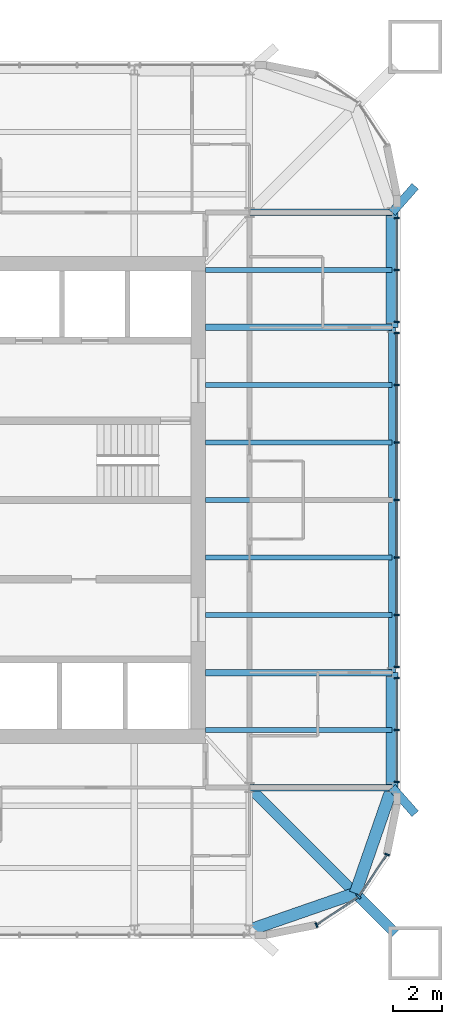
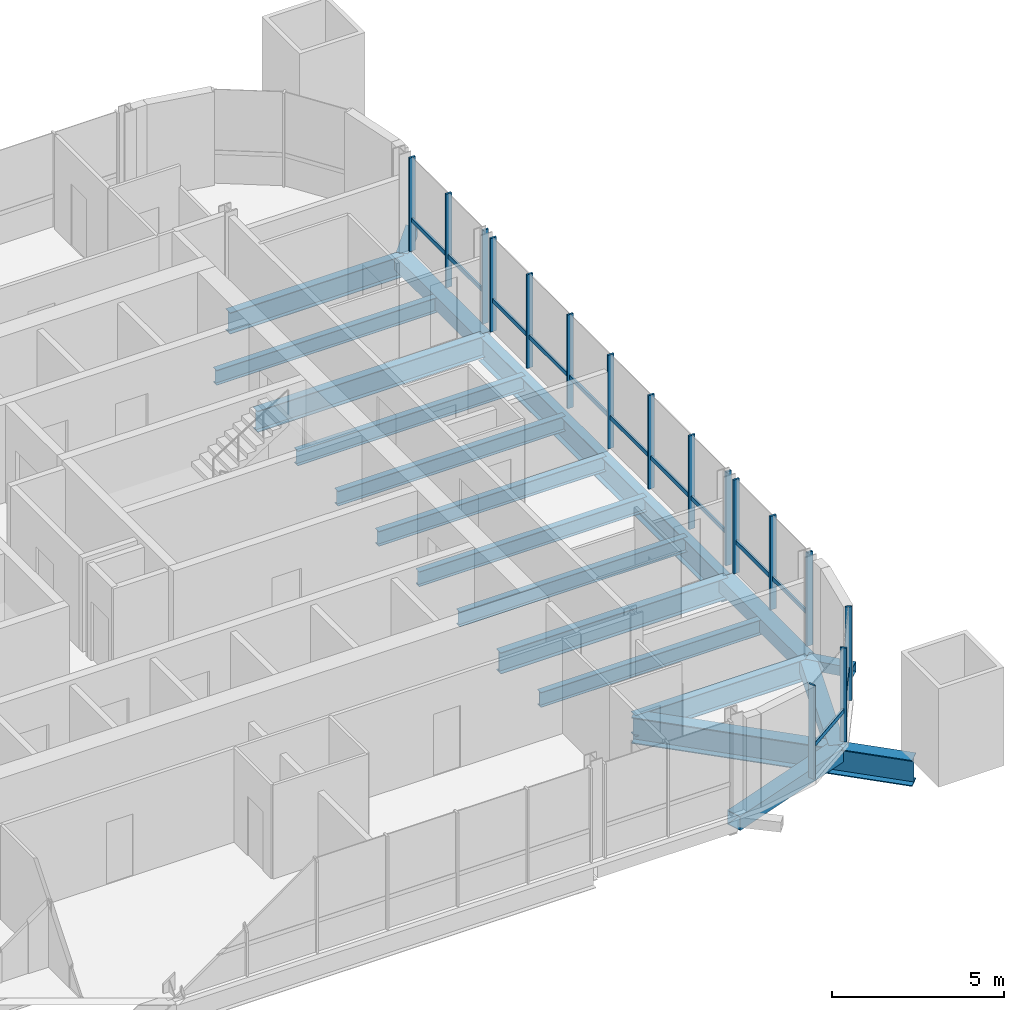
# One storey, part 4 of 12: 28 members, 19 beams, 4 elements without a shape of their own.
"""IFC4 building model written with IfcOpenShell, lengths in metres."""

import ifcopenshell
import ifcopenshell.guid

model = None  # the IFC model being written
_history = None  # IfcOwnerHistory: only IFC2X3 demands one
_inside = {}  # id of a spatial element -> (the spatial element, [elements in it])
_under = {}  # id of a project, library or spatial element -> (it, [spatial elements below it])
_declared = {}  # id of a project -> (the project, [libraries it declares])
_typed = {}  # id of a type object -> (the type object, [elements of that type])
_made_of = {}  # id of a material, layer set ... -> (it, [elements and type objects made of it])


def new_model(schema):
    """Start an empty IFC model of exactly this schema.

    Asked for "IFC4X3", IfcOpenShell would pick the latest addendum, in which some entities
    have other attributes; the version numbers below select the first issue.
    IFC2X3 requires an IfcOwnerHistory on every rooted entity: one is made here for all.
    """
    global model, _history
    if schema == "IFC4X3":
        model = ifcopenshell.file(schema_version=(4, 3, 0, 0))
    else:
        model = ifcopenshell.file(schema=schema)
    _inside.clear()
    _under.clear()
    _declared.clear()
    _typed.clear()
    _made_of.clear()
    _history = None
    if model.schema == "IFC2X3":
        org = make("IfcOrganization", Name="unknown")
        user = make(
            "IfcPersonAndOrganization",
            ThePerson=make("IfcPerson", FamilyName="unknown"),
            TheOrganization=org,
        )
        app = make(
            "IfcApplication",
            ApplicationDeveloper=org,
            Version="unknown",
            ApplicationFullName="unknown",
            ApplicationIdentifier="unknown",
        )
        _history = make(
            "IfcOwnerHistory",
            OwningUser=user,
            OwningApplication=app,
            ChangeAction="ADDED",
            CreationDate=0,
        )
    return model


def make(cls, **values):
    """One entity of the class cls with the attributes given. An attribute that is None is left unset."""
    return model.create_entity(
        cls, **{name: value for name, value in values.items() if value is not None}
    )


def rooted(cls, **values):
    """An entity with a GlobalId (a new one), such as an element, a storey or a relation."""
    return make(cls, GlobalId=ifcopenshell.guid.new(), OwnerHistory=_history, **values)


def si_unit(unit_type, name, prefix=None):
    """IfcSIUnit, for example si_unit("LENGTHUNIT", "METRE", prefix="MILLI")."""
    return make("IfcSIUnit", UnitType=unit_type, Prefix=prefix, Name=name)


def assignment(units):
    """IfcUnitAssignment: the units of a project."""
    return None if units is None else make("IfcUnitAssignment", Units=units)


def point(xyz):
    """IfcCartesianPoint."""
    return None if xyz is None else make("IfcCartesianPoint", Coordinates=xyz)


def direction(xyz):
    """IfcDirection."""
    return None if xyz is None else make("IfcDirection", DirectionRatios=xyz)


def frame(location, z_axis=None, x_axis=None):
    """IfcAxis2Placement3D, a coordinate frame: its origin and axes. An axis left out is left unset."""
    return make(
        "IfcAxis2Placement3D",
        Location=point(location),
        Axis=direction(z_axis),
        RefDirection=direction(x_axis),
    )


def frame_2d(location, x_axis=None):
    """IfcAxis2Placement2D, a coordinate frame in the plane: its origin and x axis."""
    return make(
        "IfcAxis2Placement2D", Location=point(location), RefDirection=direction(x_axis)
    )


def origin():
    """The frame at (0, 0, 0) with its axes left unset."""
    return frame((0.0, 0.0, 0.0))


def origin_2d():
    """The frame at (0, 0) in the plane with its x axis left unset."""
    return frame_2d((0.0, 0.0))


def place(relative_to, where):
    """IfcLocalPlacement: puts the frame where relative to a parent placement (None: the world)."""
    return make(
        "IfcLocalPlacement", PlacementRelTo=relative_to, RelativePlacement=where
    )


def context(
    kind, dimensions, precision=None, world=None, true_north=None, identifier=None
):
    """IfcGeometricRepresentationContext, for example the 3D "Model" context."""
    return make(
        "IfcGeometricRepresentationContext",
        ContextIdentifier=identifier,
        ContextType=kind,
        CoordinateSpaceDimension=dimensions,
        Precision=precision,
        WorldCoordinateSystem=world,
        TrueNorth=true_north,
    )


def subcontext(parent, identifier, kind, view, scale=None):
    """IfcGeometricRepresentationSubContext, for example "Body" below "Model"."""
    return make(
        "IfcGeometricRepresentationSubContext",
        ContextIdentifier=identifier,
        ContextType=kind,
        ParentContext=parent,
        TargetScale=scale,
        TargetView=view,
    )


def project(units=None, contexts=None):
    """IfcProject with its units and contexts."""
    return rooted(
        "IfcProject",
        Name="project",
        RepresentationContexts=contexts,
        UnitsInContext=assignment(units),
    )


def spatial(cls, under=None, at=None, **own):
    """A site, building, storey or space (cls), placed at a placement, below another one or the project."""
    s = rooted(cls, ObjectPlacement=at, **own)
    if under is not None:
        _under.setdefault(under.id(), (under, []))[1].append(s)
    return s


def profile(cls, at=None, kind="AREA", **sizes):
    """A parametric profile (cls). Its sizes go by their IFC names, for example OverallWidth=200.0."""
    return make(cls, ProfileType=kind, Position=at, **sizes)


def rectangle(**sizes):
    """IfcRectangleProfileDef."""
    return profile("IfcRectangleProfileDef", **sizes)


def hollow_rectangle(**sizes):
    """IfcRectangleHollowProfileDef."""
    return profile("IfcRectangleHollowProfileDef", **sizes)


def i_section(**sizes):
    """IfcIShapeProfileDef."""
    return profile("IfcIShapeProfileDef", **sizes)


def extrude(swept, where, along, depth):
    """IfcExtrudedAreaSolid: the profile swept, set in the frame where, extruded along a direction by depth."""
    return make(
        "IfcExtrudedAreaSolid",
        SweptArea=swept,
        Position=where,
        ExtrudedDirection=direction(along),
        Depth=depth,
    )


def shape(context_of_items, identifier, shape_type, items):
    """IfcShapeRepresentation: the items that make up one representation, for example the "Body"."""
    return make(
        "IfcShapeRepresentation",
        ContextOfItems=context_of_items,
        RepresentationIdentifier=identifier,
        RepresentationType=shape_type,
        Items=items,
    )


def material(Name=None, Category=None):
    """IfcMaterial."""
    return make("IfcMaterial", Name=Name, Category=Category)


def material_profile(
    of_material, cross_section, Name=None, Category=None, Priority=None
):
    """IfcMaterialProfile: a cross section and its material."""
    return make(
        "IfcMaterialProfile",
        Name=Name,
        Material=of_material,
        Profile=cross_section,
        Priority=Priority,
        Category=Category,
    )


def profile_set(profiles, Name=None, composite=None):
    """IfcMaterialProfileSet."""
    return make(
        "IfcMaterialProfileSet",
        Name=Name,
        MaterialProfiles=profiles,
        CompositeProfile=composite,
    )


def made_of(thing, what):
    """Note that an element or type object is made of a material, layer set ...; save() writes the relation."""
    if what is not None:
        _made_of.setdefault(what.id(), (what, []))[1].append(thing)
    return thing


def type_object(cls, material=None, **own):
    """A type object (cls), such as IfcWallType, which elements share."""
    return made_of(rooted(cls, **own), material)


def element(
    cls,
    number,
    at=None,
    inside=None,
    cuts=None,
    type_object=None,
    material=None,
    context=None,
    identifier="Body",
    shape_type=None,
    held_by="IfcProductDefinitionShape",
    body=None,
    shapes=None,
    **own,
):
    """One element of the class cls, such as IfcWall. Its Tag is "e" and its number.

    at: its placement. inside: the storey or other place that contains it. cuts: it is an
    opening in that element (IfcRelVoidsElement). A single representation is given by context,
    identifier, shape_type and body (its items); several are given by shapes. held_by: the class
    of the entity that holds the representations. save() writes the other relations.
    """
    e = rooted(cls, Tag="e%d" % number, ObjectPlacement=at, **own)
    if body is not None:
        shapes = [shape(context, identifier, shape_type, body)]
    if shapes is not None:
        e.Representation = make(held_by, Representations=shapes)
    if inside is not None:
        _inside.setdefault(inside.id(), (inside, []))[1].append(e)
    if cuts is not None:
        rooted(
            "IfcRelVoidsElement", RelatingBuildingElement=cuts, RelatedOpeningElement=e
        )
    if type_object is not None:
        _typed.setdefault(type_object.id(), (type_object, []))[1].append(e)
    return made_of(e, material)


def aggregate(whole, parts):
    """IfcRelAggregates: a whole, such as a stair, and the parts it consists of."""
    return rooted("IfcRelAggregates", RelatingObject=whole, RelatedObjects=parts)


def save(model, path):
    """Write the relations noted so far, then the file.

    IfcRelAggregates (storeys below a building ...), IfcRelContainedInSpatialStructure (elements
    in a storey), IfcRelDefinesByType, IfcRelAssociatesMaterial and IfcRelDeclares: one each for
    every whole, place, type object, material and project.
    """
    for whole, parts in _under.values():
        aggregate(whole, parts)
    for where, things in _inside.values():
        rooted(
            "IfcRelContainedInSpatialStructure",
            RelatedElements=things,
            RelatingStructure=where,
        )
    for kind, things in _typed.values():
        rooted("IfcRelDefinesByType", RelatedObjects=things, RelatingType=kind)
    for what, things in _made_of.values():
        rooted("IfcRelAssociatesMaterial", RelatedObjects=things, RelatingMaterial=what)
    for by, libraries in _declared.values():
        rooted("IfcRelDeclares", RelatingContext=by, RelatedDefinitions=libraries)
    model.write(path)


model = new_model("IFC4")

# Units and contexts
model_context = context("Model", 3, precision=1e-05, world=origin(), true_north=direction((0.0, 1.0)))
body_context = subcontext(model_context, "Body", "Model", "MODEL_VIEW")
ifc_project = project(units=[si_unit("LENGTHUNIT", "METRE"), si_unit("AREAUNIT", "SQUARE_METRE"), si_unit("VOLUMEUNIT", "CUBIC_METRE"), si_unit("PLANEANGLEUNIT", "RADIAN"), si_unit("MASSUNIT", "GRAM", prefix="KILO")], contexts=[model_context])

# Site, building, storey
site_placement = place(None, origin())
site = spatial("IfcSite", under=ifc_project, at=site_placement, CompositionType="ELEMENT")
building_placement = place(site_placement, origin())
building = spatial("IfcBuilding", under=site, at=building_placement, Name="Turquesa Mirador Hotel Tower", CompositionType="ELEMENT")
storey_placement = place(building_placement, frame((0.0, 0.0, 233.699951171875)))
storey = spatial("IfcBuildingStorey", under=building, at=storey_placement, Name="L63", CompositionType="ELEMENT", Elevation=233.699951171875)

# Beams
ifc_material_1 = material(Name="Steel ASTM A572 Grade 50", Category="steel")
ifc_material_profile_1 = material_profile(ifc_material_1, hollow_rectangle(XDim=0.5, YDim=0.5, WallThickness=0.01611328125, at=origin_2d()), Name="BOX500X500X16")
ifc_profile_set_1 = profile_set([ifc_material_profile_1], Name="Steel ASTM A572 Grade 50")
beam_type_1 = type_object("IfcBeamType", Name="BEAM BOX500X500X16", PredefinedType="BEAM", material=ifc_profile_set_1)
for number, where, z_axis, x_axis, name in (
    (1, (72.64990234375, 33.199951171875, -0.419921875), (0.0, 1.0, 0.0), (-1.0, 0.0, 0.0), "EB-L63-E-L"),
    (2, (72.64990234375, 52.080078125, -0.419921875), (0.0, 1.0, 0.0), (-1.0, 0.0, 0.0), "EB-L63-E-R"),
):
    element("IfcBeam", number, at=place(storey_placement, frame(where, z_axis=z_axis, x_axis=x_axis)), inside=storey, type_object=beam_type_1, Name=name, PredefinedType="BEAM", context=body_context, shape_type="SweptSolid", body=[
        extrude(hollow_rectangle(XDim=0.5, YDim=0.5, WallThickness=0.01611328125, at=origin_2d()), origin(), (0.0, 0.0, 1.0), 4.719970703125),
    ])
for number, where, z_axis, x_axis, name in (
    (3, (72.64990234375, 33.199951171875, -0.419921875), (-0.328170356092, -0.944618556552, 0.0), (0.944618556552, -0.328170356092, 0.0), "KE-L63-4-0"),
    (4, (71.1416015625, 28.8583984375, -0.419921875), (-0.944618556552, -0.328170356092, 0.0), (0.328170356092, -0.944618556552, 0.0), "KE-L63-4-1"),
):
    element("IfcBeam", number, at=place(storey_placement, frame(where, z_axis=z_axis, x_axis=x_axis)), inside=storey, type_object=beam_type_1, Name=name, PredefinedType="BEAM", context=body_context, shape_type="SweptSolid", body=[
        extrude(hollow_rectangle(XDim=0.5, YDim=0.5, WallThickness=0.01611328125, at=origin_2d()), origin(), (0.0, 0.0, 1.0), 4.59619140625),
    ])
ifc_material_2 = material(Name="Steel ASTM A992 Grade 50", Category="steel")
ifc_material_profile_2 = material_profile(ifc_material_2, i_section(OverallWidth=0.209228515625, OverallDepth=0.533447265625, WebThickness=0.01025390625, FlangeThickness=0.015625, at=origin_2d()), Name="W21X62")
ifc_profile_set_2 = profile_set([ifc_material_profile_2], Name="Steel ASTM A992 Grade 50")
beam_type_2 = type_object("IfcBeamType", Name="BEAM W21X62", PredefinedType="BEAM", material=ifc_profile_set_2)
for number, where, z_axis, x_axis, name in (
    (5, (72.64990234375, 35.56005859375, -0.436767578125), (-1.0, 0.0, 0.0), (0.0, -1.0, 0.0), "BM-L63-E--9.44"),
    (6, (72.64990234375, 40.280029296875, -0.436767578125), (-1.0, 0.0, 0.0), (0.0, -1.0, 0.0), "BM-L63-E--4.72"),
    (7, (72.64990234375, 42.639892578125, -0.436767578125), (-1.0, 0.0, 0.0), (0.0, -1.0, 0.0), "BM-L63-E--2.36"),
    (8, (72.64990234375, 45.0, -0.436767578125), (-1.0, 0.0, 0.0), (0.0, -1.0, 0.0), "BM-L63-E-+0.00"),
    (9, (72.64990234375, 47.360107421875, -0.436767578125), (-1.0, 0.0, 0.0), (0.0, -1.0, 0.0), "BM-L63-E-+2.36"),
    (10, (72.64990234375, 49.719970703125, -0.436767578125), (-1.0, 0.0, 0.0), (0.0, -1.0, 0.0), "BM-L63-E-+4.72"),
    (11, (72.64990234375, 54.43994140625, -0.436767578125), (-1.0, 0.0, 0.0), (0.0, -1.0, 0.0), "BM-L63-E-+9.44"),
):
    element("IfcBeam", number, at=place(storey_placement, frame(where, z_axis=z_axis, x_axis=x_axis)), inside=storey, type_object=beam_type_2, Name=name, PredefinedType="BEAM", context=body_context, shape_type="SweptSolid", body=[
        extrude(i_section(OverallWidth=0.209228515625, OverallDepth=0.533447265625, WebThickness=0.01025390625, FlangeThickness=0.015625, at=origin_2d()), origin(), (0.0, 0.0, 1.0), 7.64990234375),
    ])
ifc_material_3 = material(Name="Steel ASTM A992 Grade 50", Category="steel")
ifc_material_profile_3 = material_profile(ifc_material_3, i_section(OverallWidth=0.2666015625, OverallDepth=0.7568359375, WebThickness=0.013916015625, FlangeThickness=0.019287109375, at=origin_2d()), Name="W30X108")
ifc_profile_set_3 = profile_set([ifc_material_profile_3], Name="Steel ASTM A992 Grade 50")
beam_type_3 = type_object("IfcBeamType", Name="BEAM W30X108", PredefinedType="BEAM", material=ifc_profile_set_3)
for number, where, z_axis, x_axis, name in (
    (12, (72.64990234375, 37.919921875, -0.54833984375), (-1.0, 0.0, 0.0), (0.0, -1.0, 0.0), "GD-L63-E--7.08"),
    (13, (72.64990234375, 52.080078125, -0.54833984375), (-1.0, 0.0, 0.0), (0.0, -1.0, 0.0), "GD-L63-E-+7.08"),
):
    element("IfcBeam", number, at=place(storey_placement, frame(where, z_axis=z_axis, x_axis=x_axis)), inside=storey, type_object=beam_type_3, Name=name, PredefinedType="BEAM", context=body_context, shape_type="SweptSolid", body=[
        extrude(i_section(OverallWidth=0.2666015625, OverallDepth=0.7568359375, WebThickness=0.013916015625, FlangeThickness=0.019287109375, at=origin_2d()), origin(), (0.0, 0.0, 1.0), 7.64990234375),
    ])
for number, where, z_axis, x_axis, name in (
    (14, (72.64990234375, 33.199951171875, -0.54833984375), (-1.0, 0.0, 0.0), (0.0, -1.0, 0.0), "GK-L63-E--11.80"),
    (15, (72.64990234375, 56.800048828125, -0.54833984375), (-1.0, 0.0, 0.0), (0.0, -1.0, 0.0), "GK-L63-E-+11.80"),
):
    element("IfcBeam", number, at=place(storey_placement, frame(where, z_axis=z_axis, x_axis=x_axis)), inside=storey, type_object=beam_type_3, Name=name, PredefinedType="BEAM", context=body_context, shape_type="SweptSolid", body=[
        extrude(i_section(OverallWidth=0.2666015625, OverallDepth=0.7568359375, WebThickness=0.013916015625, FlangeThickness=0.019287109375, at=origin_2d()), origin(), (0.0, 0.0, 1.0), 5.849853515625),
    ])
ifc_material_4 = material(Name="Steel ASTM A992 Grade 50", Category="steel")
ifc_material_profile_4 = material_profile(ifc_material_4, i_section(OverallWidth=0.3046875, OverallDepth=0.911865234375, WebThickness=0.015869140625, FlangeThickness=0.02392578125, at=origin_2d()), Name="W36X150")
ifc_profile_set_4 = profile_set([ifc_material_profile_4], Name="Steel ASTM A992 Grade 50")
beam_type_4 = type_object("IfcBeamType", Name="BEAM W36X150", PredefinedType="BEAM", material=ifc_profile_set_4)
beam_1_placement = place(storey_placement, frame((72.64990234375, 37.919921875, -0.6259765625), z_axis=(0.0, 1.0, 0.0), x_axis=(-1.0, 0.0, 0.0)))
element("IfcBeam", 16, at=beam_1_placement, inside=storey, type_object=beam_type_4, Name="EB-L63-E-C", PredefinedType="BEAM", context=body_context, shape_type="SweptSolid", body=[
    extrude(i_section(OverallWidth=0.3046875, OverallDepth=0.911865234375, WebThickness=0.015869140625, FlangeThickness=0.02392578125, at=origin_2d()), origin(), (0.0, 0.0, 1.0), 14.16015625),
])
ifc_material_5 = material(Name="Steel ASTM A992 Grade 50", Category="steel")
ifc_material_profile_5 = material_profile(ifc_material_5, i_section(OverallWidth=0.419189453125, OverallDepth=0.927001953125, WebThickness=0.019287109375, FlangeThickness=0.031982421875, at=origin_2d()), Name="W36X231")
ifc_profile_set_5 = profile_set([ifc_material_profile_5], Name="Steel ASTM A992 Grade 50")
beam_type_5 = type_object("IfcBeamType", Name="BEAM W36X231", PredefinedType="BEAM", material=ifc_profile_set_5)
beam_2_placement = place(storey_placement, frame((66.800048828125, 33.199951171875, -0.633544921875), z_axis=(0.707106781187, -0.707106781187, 0.0), x_axis=(0.707106781187, 0.707106781187, 0.0)))
element("IfcBeam", 17, at=beam_2_placement, inside=storey, type_object=beam_type_5, Name="KD-L63-4", PredefinedType="BEAM", context=body_context, shape_type="SweptSolid", body=[
    extrude(i_section(OverallWidth=0.419189453125, OverallDepth=0.927001953125, WebThickness=0.019287109375, FlangeThickness=0.031982421875, at=origin_2d()), origin(), (0.0, 0.0, 1.0), 8.46240234375),
])
ifc_material_6 = material(Name="Steel ASTM A500 Grade C", Category="steel")
ifc_material_profile_6 = material_profile(ifc_material_6, hollow_rectangle(XDim=0.355712890625, YDim=0.355712890625, WallThickness=0.0146484375, at=origin_2d()), Name="HSS14X14X5/8")
ifc_profile_set_6 = profile_set([ifc_material_profile_6], Name="Steel ASTM A500 Grade C")
beam_type_6 = type_object("IfcBeamType", Name="BRACE STRUT HSS14X14X5/8", PredefinedType="BEAM", material=ifc_profile_set_6)
for number, where, z_axis, x_axis, name in (
    (18, (73.60009765625, 32.123046875, -0.34765625), (-0.661616014704, 0.749842816254, 0.0), (-0.749842816254, -0.661616014704, 0.0), "Brace strut"),
    (19, (73.60009765625, 57.876953125, -0.34765625), (-0.661616014704, -0.749842816254, 0.0), (0.749842816254, -0.661616014704, 0.0), "Brace strut"),
):
    element("IfcBeam", number, at=place(storey_placement, frame(where, z_axis=z_axis, x_axis=x_axis)), inside=storey, type_object=beam_type_6, Name=name, PredefinedType="BEAM", context=body_context, shape_type="SweptSolid", body=[
        extrude(hollow_rectangle(XDim=0.355712890625, YDim=0.355712890625, WallThickness=0.0146484375, at=origin_2d()), origin(), (0.0, 0.0, 1.0), 1.436279296875),
    ])

# Curtain wall, members
ifc_material_7 = material(Name="Aluminium extrusion", Category="aluminium")
curtain_wall_type = type_object("IfcCurtainWallType", Name="CW-4 SUITE FRITTED CURTAIN WALL", PredefinedType="USERDEFINED", material=ifc_material_7)
curtain_wall_1_placement = place(storey_placement, origin())
curtain_wall_1 = element("IfcCurtainWall", 20, at=curtain_wall_1_placement, inside=storey, type_object=curtain_wall_type, Name="CW-4 SUITE FRITTED CURTAIN WALL L63", ObjectType="CURTAIN WALL", PredefinedType="USERDEFINED")
ifc_material_8 = material(Name="Aluminium extrusion", Category="aluminium")
ifc_material_profile_7 = material_profile(ifc_material_8, rectangle(XDim=0.06494140625, YDim=0.199951171875, at=origin_2d()), Name="MULLION 65X200")
ifc_profile_set_7 = profile_set([ifc_material_profile_7], Name="Aluminium extrusion")
member_type_1 = type_object("IfcMemberType", Name="CW MULLION 65X200", PredefinedType="MULLION", material=ifc_profile_set_7)
member_1_placement = place(storey_placement, frame((69.54736328125, 27.55712890625, 0.0), z_axis=(0.0, 0.0, 1.0), x_axis=(0.923879532511, 0.382683432365, 0.0)))
member_1 = element("IfcMember", 21, at=member_1_placement, type_object=member_type_1, Name="Mullion", PredefinedType="MULLION", context=body_context, shape_type="SweptSolid", body=[
    extrude(rectangle(XDim=0.06494140625, YDim=0.199951171875, at=origin_2d()), origin(), (0.0, 0.0, 1.0), 3.330078125),
])
member_2_placement = place(storey_placement, frame((71.282958984375, 28.717041015625, 0.0), z_axis=(0.0, 0.0, 1.0), x_axis=(0.707106781187, 0.707106781187, 0.0)))
member_2 = element("IfcMember", 22, at=member_2_placement, type_object=member_type_1, Name="Mullion", PredefinedType="MULLION", context=body_context, shape_type="SweptSolid", body=[
    extrude(rectangle(XDim=0.06494140625, YDim=0.199951171875, at=origin_2d()), origin(), (0.0, 0.0, 1.0), 3.330078125),
])
member_3_placement = place(storey_placement, frame((72.44287109375, 30.45263671875, 0.0), z_axis=(0.0, 0.0, 1.0), x_axis=(0.382683432365, 0.923879532511, 0.0)))
member_3 = element("IfcMember", 23, at=member_3_placement, type_object=member_type_1, Name="Mullion", PredefinedType="MULLION", context=body_context, shape_type="SweptSolid", body=[
    extrude(rectangle(XDim=0.06494140625, YDim=0.199951171875, at=origin_2d()), origin(), (0.0, 0.0, 1.0), 3.330078125),
])

curtain_wall_2_placement = place(storey_placement, origin())
curtain_wall_2 = element("IfcCurtainWall", 24, at=curtain_wall_2_placement, inside=storey, type_object=curtain_wall_type, Name="CW-4 SUITE FRITTED CURTAIN WALL L63", ObjectType="CURTAIN WALL", PredefinedType="USERDEFINED")
member_4_placement = place(storey_placement, frame((72.85009765625, 33.433837890625, 0.0), z_axis=(0.0, 0.0, 1.0), x_axis=(0.0, 1.0, 0.0)))
member_4 = element("IfcMember", 25, at=member_4_placement, type_object=member_type_1, Name="Mullion", PredefinedType="MULLION", context=body_context, shape_type="SweptSolid", body=[
    extrude(rectangle(XDim=0.06494140625, YDim=0.199951171875, at=origin_2d()), origin(), (0.0, 0.0, 1.0), 3.330078125),
])
member_5_placement = place(storey_placement, frame((72.85009765625, 35.56005859375, 0.0), z_axis=(0.0, 0.0, 1.0), x_axis=(0.0, 1.0, 0.0)))
member_5 = element("IfcMember", 26, at=member_5_placement, type_object=member_type_1, Name="Mullion", PredefinedType="MULLION", context=body_context, shape_type="SweptSolid", body=[
    extrude(rectangle(XDim=0.06494140625, YDim=0.199951171875, at=origin_2d()), origin(), (0.0, 0.0, 1.0), 3.330078125),
])
member_6_placement = place(storey_placement, frame((72.85009765625, 37.68603515625, 0.0), z_axis=(0.0, 0.0, 1.0), x_axis=(0.0, 1.0, 0.0)))
member_6 = element("IfcMember", 27, at=member_6_placement, type_object=member_type_1, Name="Mullion", PredefinedType="MULLION", context=body_context, shape_type="SweptSolid", body=[
    extrude(rectangle(XDim=0.06494140625, YDim=0.199951171875, at=origin_2d()), origin(), (0.0, 0.0, 1.0), 3.330078125),
])

curtain_wall_3_placement = place(storey_placement, origin())
curtain_wall_3 = element("IfcCurtainWall", 28, at=curtain_wall_3_placement, inside=storey, type_object=curtain_wall_type, Name="CW-4 SUITE FRITTED CURTAIN WALL L63", ObjectType="CURTAIN WALL", PredefinedType="USERDEFINED")
member_7_placement = place(storey_placement, frame((72.85009765625, 38.15380859375, 0.0), z_axis=(0.0, 0.0, 1.0), x_axis=(0.0, 1.0, 0.0)))
member_7 = element("IfcMember", 29, at=member_7_placement, type_object=member_type_1, Name="Mullion", PredefinedType="MULLION", context=body_context, shape_type="SweptSolid", body=[
    extrude(rectangle(XDim=0.06494140625, YDim=0.199951171875, at=origin_2d()), origin(), (0.0, 0.0, 1.0), 3.330078125),
])
member_8_placement = place(storey_placement, frame((72.85009765625, 40.280029296875, 0.0), z_axis=(0.0, 0.0, 1.0), x_axis=(0.0, 1.0, 0.0)))
member_8 = element("IfcMember", 30, at=member_8_placement, type_object=member_type_1, Name="Mullion", PredefinedType="MULLION", context=body_context, shape_type="SweptSolid", body=[
    extrude(rectangle(XDim=0.06494140625, YDim=0.199951171875, at=origin_2d()), origin(), (0.0, 0.0, 1.0), 3.330078125),
])
member_9_placement = place(storey_placement, frame((72.85009765625, 42.639892578125, 0.0), z_axis=(0.0, 0.0, 1.0), x_axis=(0.0, 1.0, 0.0)))
member_9 = element("IfcMember", 31, at=member_9_placement, type_object=member_type_1, Name="Mullion", PredefinedType="MULLION", context=body_context, shape_type="SweptSolid", body=[
    extrude(rectangle(XDim=0.06494140625, YDim=0.199951171875, at=origin_2d()), origin(), (0.0, 0.0, 1.0), 3.330078125),
])
member_10_placement = place(storey_placement, frame((72.85009765625, 45.0, 0.0), z_axis=(0.0, 0.0, 1.0), x_axis=(0.0, 1.0, 0.0)))
member_10 = element("IfcMember", 32, at=member_10_placement, type_object=member_type_1, Name="Mullion", PredefinedType="MULLION", context=body_context, shape_type="SweptSolid", body=[
    extrude(rectangle(XDim=0.06494140625, YDim=0.199951171875, at=origin_2d()), origin(), (0.0, 0.0, 1.0), 3.330078125),
])
member_11_placement = place(storey_placement, frame((72.85009765625, 47.360107421875, 0.0), z_axis=(0.0, 0.0, 1.0), x_axis=(0.0, 1.0, 0.0)))
member_11 = element("IfcMember", 33, at=member_11_placement, type_object=member_type_1, Name="Mullion", PredefinedType="MULLION", context=body_context, shape_type="SweptSolid", body=[
    extrude(rectangle(XDim=0.06494140625, YDim=0.199951171875, at=origin_2d()), origin(), (0.0, 0.0, 1.0), 3.330078125),
])
member_12_placement = place(storey_placement, frame((72.85009765625, 49.719970703125, 0.0), z_axis=(0.0, 0.0, 1.0), x_axis=(0.0, 1.0, 0.0)))
member_12 = element("IfcMember", 34, at=member_12_placement, type_object=member_type_1, Name="Mullion", PredefinedType="MULLION", context=body_context, shape_type="SweptSolid", body=[
    extrude(rectangle(XDim=0.06494140625, YDim=0.199951171875, at=origin_2d()), origin(), (0.0, 0.0, 1.0), 3.330078125),
])
member_13_placement = place(storey_placement, frame((72.85009765625, 51.84619140625, 0.0), z_axis=(0.0, 0.0, 1.0), x_axis=(0.0, 1.0, 0.0)))
member_13 = element("IfcMember", 35, at=member_13_placement, type_object=member_type_1, Name="Mullion", PredefinedType="MULLION", context=body_context, shape_type="SweptSolid", body=[
    extrude(rectangle(XDim=0.06494140625, YDim=0.199951171875, at=origin_2d()), origin(), (0.0, 0.0, 1.0), 3.330078125),
])

curtain_wall_4_placement = place(storey_placement, origin())
curtain_wall_4 = element("IfcCurtainWall", 36, at=curtain_wall_4_placement, inside=storey, type_object=curtain_wall_type, Name="CW-4 SUITE FRITTED CURTAIN WALL L63", ObjectType="CURTAIN WALL", PredefinedType="USERDEFINED")
member_14_placement = place(storey_placement, frame((72.85009765625, 52.31396484375, 0.0), z_axis=(0.0, 0.0, 1.0), x_axis=(0.0, 1.0, 0.0)))
member_14 = element("IfcMember", 37, at=member_14_placement, type_object=member_type_1, Name="Mullion", PredefinedType="MULLION", context=body_context, shape_type="SweptSolid", body=[
    extrude(rectangle(XDim=0.06494140625, YDim=0.199951171875, at=origin_2d()), origin(), (0.0, 0.0, 1.0), 3.330078125),
])
member_15_placement = place(storey_placement, frame((72.85009765625, 54.43994140625, 0.0), z_axis=(0.0, 0.0, 1.0), x_axis=(0.0, 1.0, 0.0)))
member_15 = element("IfcMember", 38, at=member_15_placement, type_object=member_type_1, Name="Mullion", PredefinedType="MULLION", context=body_context, shape_type="SweptSolid", body=[
    extrude(rectangle(XDim=0.06494140625, YDim=0.199951171875, at=origin_2d()), origin(), (0.0, 0.0, 1.0), 3.330078125),
])
member_16_placement = place(storey_placement, frame((72.85009765625, 56.566162109375, 0.0), z_axis=(0.0, 0.0, 1.0), x_axis=(0.0, 1.0, 0.0)))
member_16 = element("IfcMember", 39, at=member_16_placement, type_object=member_type_1, Name="Mullion", PredefinedType="MULLION", context=body_context, shape_type="SweptSolid", body=[
    extrude(rectangle(XDim=0.06494140625, YDim=0.199951171875, at=origin_2d()), origin(), (0.0, 0.0, 1.0), 3.330078125),
])

# Member
ifc_material_9 = material(Name="Aluminium extrusion", Category="aluminium")
ifc_material_profile_8 = material_profile(ifc_material_9, rectangle(XDim=0.06494140625, YDim=0.14990234375, at=origin_2d()), Name="TRANSOM 65X150")
ifc_profile_set_8 = profile_set([ifc_material_profile_8], Name="Aluminium extrusion")
member_type_2 = type_object("IfcMemberType", Name="CW TRANSOM 65X150", PredefinedType="USERDEFINED", material=ifc_profile_set_8)
member_17_placement = place(storey_placement, frame((69.574462890625, 27.5751953125, 1.10009765625), z_axis=(0.831436961136, 0.555619095835, 0.0), x_axis=(-0.555619095835, 0.831436961136, 0.0)))
member_17 = element("IfcMember", 40, at=member_17_placement, type_object=member_type_2, Name="Transom", ObjectType="TRANSOM", PredefinedType="USERDEFINED", context=body_context, shape_type="SweptSolid", body=[
    extrude(rectangle(XDim=0.06494140625, YDim=0.14990234375, at=origin_2d()), origin(), (0.0, 0.0, 1.0), 2.0224609375),
])

member_18_placement = place(storey_placement, frame((71.301025390625, 28.743896484375, 1.10009765625), z_axis=(0.555619095835, 0.831436961136, 0.0), x_axis=(-0.831436961136, 0.555619095835, 0.0)))
member_18 = element("IfcMember", 41, at=member_18_placement, type_object=member_type_2, Name="Transom", ObjectType="TRANSOM", PredefinedType="USERDEFINED", context=body_context, shape_type="SweptSolid", body=[
    extrude(rectangle(XDim=0.06494140625, YDim=0.14990234375, at=origin_2d()), origin(), (0.0, 0.0, 1.0), 2.0224609375),
])

aggregate(curtain_wall_1, [member_1, member_2, member_3, member_17, member_18])

member_19_placement = place(storey_placement, frame((72.85009765625, 33.46630859375, 1.10009765625), z_axis=(0.0, 1.0, 0.0), x_axis=(-1.0, 0.0, 0.0)))
member_19 = element("IfcMember", 42, at=member_19_placement, type_object=member_type_2, Name="Transom", ObjectType="TRANSOM", PredefinedType="USERDEFINED", context=body_context, shape_type="SweptSolid", body=[
    extrude(rectangle(XDim=0.06494140625, YDim=0.14990234375, at=origin_2d()), origin(), (0.0, 0.0, 1.0), 2.061279296875),
])

member_20_placement = place(storey_placement, frame((72.85009765625, 35.592529296875, 1.10009765625), z_axis=(0.0, 1.0, 0.0), x_axis=(-1.0, 0.0, 0.0)))
member_20 = element("IfcMember", 43, at=member_20_placement, type_object=member_type_2, Name="Transom", ObjectType="TRANSOM", PredefinedType="USERDEFINED", context=body_context, shape_type="SweptSolid", body=[
    extrude(rectangle(XDim=0.06494140625, YDim=0.14990234375, at=origin_2d()), origin(), (0.0, 0.0, 1.0), 2.06103515625),
])

aggregate(curtain_wall_2, [member_4, member_5, member_6, member_19, member_20])

member_21_placement = place(storey_placement, frame((72.85009765625, 38.186279296875, 1.10009765625), z_axis=(0.0, 1.0, 0.0), x_axis=(-1.0, 0.0, 0.0)))
member_21 = element("IfcMember", 44, at=member_21_placement, type_object=member_type_2, Name="Transom", ObjectType="TRANSOM", PredefinedType="USERDEFINED", context=body_context, shape_type="SweptSolid", body=[
    extrude(rectangle(XDim=0.06494140625, YDim=0.14990234375, at=origin_2d()), origin(), (0.0, 0.0, 1.0), 2.061279296875),
])

member_22_placement = place(storey_placement, frame((72.85009765625, 40.3125, 1.10009765625), z_axis=(0.0, 1.0, 0.0), x_axis=(-1.0, 0.0, 0.0)))
member_22 = element("IfcMember", 45, at=member_22_placement, type_object=member_type_2, Name="Transom", ObjectType="TRANSOM", PredefinedType="USERDEFINED", context=body_context, shape_type="SweptSolid", body=[
    extrude(rectangle(XDim=0.06494140625, YDim=0.14990234375, at=origin_2d()), origin(), (0.0, 0.0, 1.0), 2.294921875),
])

member_23_placement = place(storey_placement, frame((72.85009765625, 42.672607421875, 1.10009765625), z_axis=(0.0, 1.0, 0.0), x_axis=(-1.0, 0.0, 0.0)))
member_23 = element("IfcMember", 46, at=member_23_placement, type_object=member_type_2, Name="Transom", ObjectType="TRANSOM", PredefinedType="USERDEFINED", context=body_context, shape_type="SweptSolid", body=[
    extrude(rectangle(XDim=0.06494140625, YDim=0.14990234375, at=origin_2d()), origin(), (0.0, 0.0, 1.0), 2.294921875),
])

member_24_placement = place(storey_placement, frame((72.85009765625, 45.032470703125, 1.10009765625), z_axis=(0.0, 1.0, 0.0), x_axis=(-1.0, 0.0, 0.0)))
member_24 = element("IfcMember", 47, at=member_24_placement, type_object=member_type_2, Name="Transom", ObjectType="TRANSOM", PredefinedType="USERDEFINED", context=body_context, shape_type="SweptSolid", body=[
    extrude(rectangle(XDim=0.06494140625, YDim=0.14990234375, at=origin_2d()), origin(), (0.0, 0.0, 1.0), 2.294921875),
])

member_25_placement = place(storey_placement, frame((72.85009765625, 47.392578125, 1.10009765625), z_axis=(0.0, 1.0, 0.0), x_axis=(-1.0, 0.0, 0.0)))
member_25 = element("IfcMember", 48, at=member_25_placement, type_object=member_type_2, Name="Transom", ObjectType="TRANSOM", PredefinedType="USERDEFINED", context=body_context, shape_type="SweptSolid", body=[
    extrude(rectangle(XDim=0.06494140625, YDim=0.14990234375, at=origin_2d()), origin(), (0.0, 0.0, 1.0), 2.294921875),
])

member_26_placement = place(storey_placement, frame((72.85009765625, 49.75244140625, 1.10009765625), z_axis=(0.0, 1.0, 0.0), x_axis=(-1.0, 0.0, 0.0)))
member_26 = element("IfcMember", 49, at=member_26_placement, type_object=member_type_2, Name="Transom", ObjectType="TRANSOM", PredefinedType="USERDEFINED", context=body_context, shape_type="SweptSolid", body=[
    extrude(rectangle(XDim=0.06494140625, YDim=0.14990234375, at=origin_2d()), origin(), (0.0, 0.0, 1.0), 2.061279296875),
])

aggregate(curtain_wall_3, [member_7, member_8, member_9, member_10, member_11, member_12, member_13, member_21, member_22, member_23, member_24, member_25, member_26])

member_27_placement = place(storey_placement, frame((72.85009765625, 52.346435546875, 1.10009765625), z_axis=(0.0, 1.0, 0.0), x_axis=(-1.0, 0.0, 0.0)))
member_27 = element("IfcMember", 50, at=member_27_placement, type_object=member_type_2, Name="Transom", ObjectType="TRANSOM", PredefinedType="USERDEFINED", context=body_context, shape_type="SweptSolid", body=[
    extrude(rectangle(XDim=0.06494140625, YDim=0.14990234375, at=origin_2d()), origin(), (0.0, 0.0, 1.0), 2.06103515625),
])

member_28_placement = place(storey_placement, frame((72.85009765625, 54.472412109375, 1.10009765625), z_axis=(0.0, 1.0, 0.0), x_axis=(-1.0, 0.0, 0.0)))
member_28 = element("IfcMember", 51, at=member_28_placement, type_object=member_type_2, Name="Transom", ObjectType="TRANSOM", PredefinedType="USERDEFINED", context=body_context, shape_type="SweptSolid", body=[
    extrude(rectangle(XDim=0.06494140625, YDim=0.14990234375, at=origin_2d()), origin(), (0.0, 0.0, 1.0), 2.061279296875),
])

aggregate(curtain_wall_4, [member_14, member_15, member_16, member_27, member_28])

save(model, "model.ifc")
